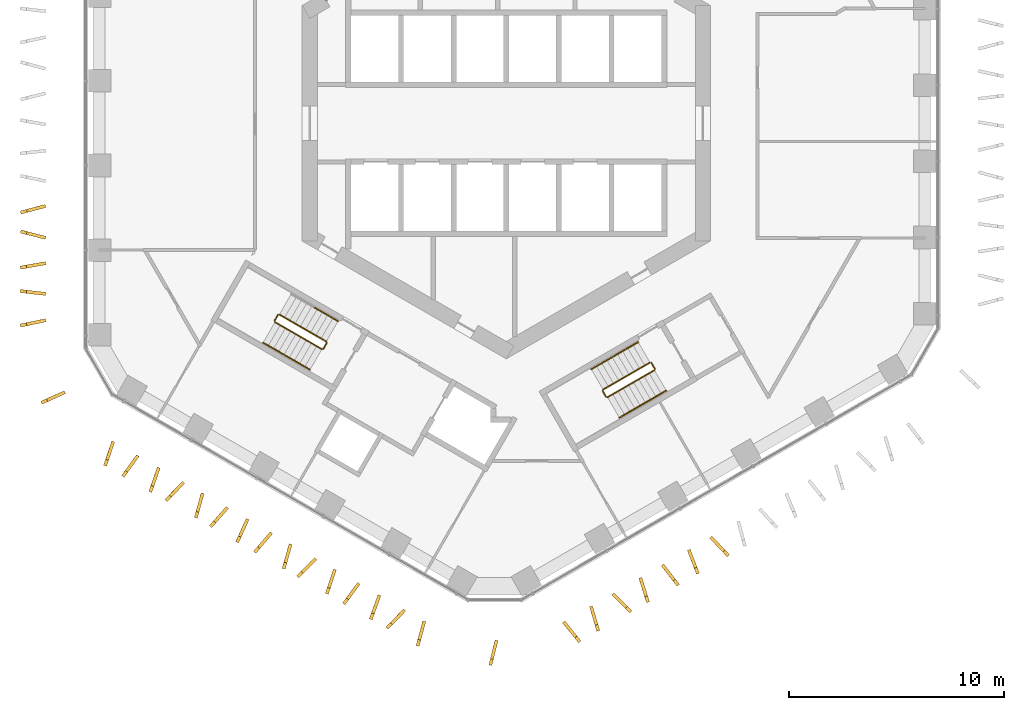
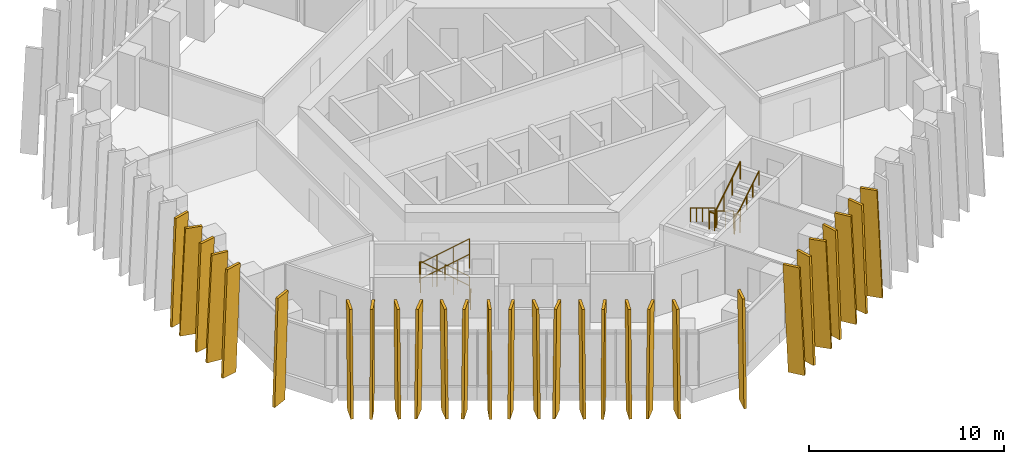
# One storey, part 17 of 19: 29 shading devices, 15 railings.
"""IFC4 building model written with IfcOpenShell, lengths in metres."""

from ifc_helpers import new_model, si_unit, direction, frame, origin, origin_2d, place, context, subcontext, project, spatial, polyline, circle, outline, extrude, material, layer, layer_set, type_object, element, save


model = new_model("IFC4")

# Units and contexts
model_context = context("Model", 3, precision=1e-05, world=origin(), true_north=direction((0.0, 1.0)))
body_context = subcontext(model_context, "Body", "Model", "MODEL_VIEW")
ifc_project = project(units=[si_unit("LENGTHUNIT", "METRE"), si_unit("AREAUNIT", "SQUARE_METRE"), si_unit("VOLUMEUNIT", "CUBIC_METRE"), si_unit("PLANEANGLEUNIT", "RADIAN"), si_unit("MASSUNIT", "GRAM", prefix="KILO")], contexts=[model_context])

# Site, building, storey
site_placement = place(None, origin())
site = spatial("IfcSite", under=ifc_project, at=site_placement, CompositionType="ELEMENT")
building_placement = place(site_placement, origin())
building = spatial("IfcBuilding", under=site, at=building_placement, Name="Ayvan Gate Tower", CompositionType="ELEMENT")
storey_placement = place(building_placement, frame((0.0, 0.0, 113.699951171875)))
storey = spatial("IfcBuildingStorey", under=building, at=storey_placement, Name="L30", CompositionType="ELEMENT", Elevation=113.699951171875)

# Shading devices
ifc_material_1 = material(Name="Bronze anodised aluminium", Category="aluminium")
ifc_layer = layer(ifc_material_1, 0.14990234375)
ifc_layer_set = layer_set([ifc_layer], Name="Bronze anodised aluminium")
shading_device_type = type_object("IfcShadingDeviceType", Name="Bronze fin 900 x 150", PredefinedType="USERDEFINED", material=ifc_layer_set)
shading_device_1_placement = place(storey_placement, frame((-21.75732421875, -3.854736328125, 0.0), z_axis=(-0.255534646621, 0.966799873203, 0.000222598358), x_axis=(-0.966799897156, -0.255534652952, 0.0)))
element("IfcShadingDevice", 1, at=shading_device_1_placement, inside=storey, type_object=shading_device_type, Name="Bronze fin FG10.3.27", ObjectType="FIN", PredefinedType="USERDEFINED", context=body_context, shape_type="SweptSolid", body=[
    extrude(outline(polyline([(0.0, 0.0), (0.8999971866563695, 0.0), (0.6039264801723704, 6.67993180612041), (-0.2960707064839991, 6.67993180612041), (0.0, 0.0)])), origin(), (0.0, 0.0, -1.0), 0.14990234375),
])
shading_device_2_placement = place(storey_placement, frame((-21.719482421875, -5.18701171875, 0.0), z_axis=(0.24413091706, 0.969742253879, 0.000237439968), x_axis=(-0.969742281215, 0.244130923942, 0.0)))
element("IfcShadingDevice", 2, at=shading_device_2_placement, inside=storey, type_object=shading_device_type, Name="Bronze fin FG10.3.28", ObjectType="FIN", PredefinedType="USERDEFINED", context=body_context, shape_type="SweptSolid", body=[
    extrude(outline(polyline([(0.0, 0.0), (0.9000357634008458, -6.776263578034403e-21), (0.6043240361315178, 6.679931828924728), (-0.2957117272693281, 6.679931828924728), (0.0, 0.0)])), origin(), (0.0, 0.0, -1.0), 0.14990234375),
])
shading_device_3_placement = place(storey_placement, frame((-21.75048828125, -6.49267578125, 0.0), z_axis=(-0.174992419985, 0.984569755235, 0.000223660681), x_axis=(-0.984569779861, -0.174992424362, 0.0)))
element("IfcShadingDevice", 3, at=shading_device_3_placement, inside=storey, type_object=shading_device_type, Name="Bronze fin FG10.3.29", ObjectType="FIN", PredefinedType="USERDEFINED", context=body_context, shape_type="SweptSolid", body=[
    extrude(outline(polyline([(0.0, 0.0), (0.8998715441478868, 0.0), (0.6040647188127232, 6.679931807703792), (-0.29580682533516367, 6.679931807703792), (0.0, 0.0)])), origin(), (0.0, 0.0, -1.0), 0.14990234375),
])
shading_device_4_placement = place(storey_placement, frame((-21.728515625, -7.83740234375, 0.0), z_axis=(0.111220485575, 0.993795729037, 0.00022920739), x_axis=(-0.993795755142, 0.111220488496, 3.457e-09)))
element("IfcShadingDevice", 4, at=shading_device_4_placement, inside=storey, type_object=shading_device_type, Name="Bronze fin FG10.3.30", ObjectType="FIN", PredefinedType="USERDEFINED", context=body_context, shape_type="SweptSolid", body=[
    extrude(outline(polyline([(0.0, 0.0), (0.9001142693175008, 0.0), (0.6041640536250094, 6.6799318140048225), (-0.29570758977570866, 6.679931820227753), (0.0, 0.0)])), origin(), (0.0, 0.0, -1.0), 0.14990234375),
])
shading_device_5_placement = place(storey_placement, frame((-21.7529296875, -9.159912109375, 0.0), z_axis=(-0.206406873272, 0.97846622251, 0.000232535496), x_axis=(-0.978466248965, -0.206406878851, -6.508e-09)))
element("IfcShadingDevice", 5, at=shading_device_5_placement, inside=storey, type_object=shading_device_type, Name="Bronze fin FG10.3.31", ObjectType="FIN", PredefinedType="USERDEFINED", context=body_context, shape_type="SweptSolid", body=[
    extrude(outline(polyline([(0.0, 0.0), (0.9002397121753258, -6.776263578034403e-21), (0.6041505128876462, 6.679931825158141), (-0.2958503159261161, 6.679931813441696), (0.0, 0.0)])), origin(), (0.0, 0.0, -1.0), 0.14990234375),
])
shading_device_6_placement = place(storey_placement, frame((-20.85498046875, -12.57568359375, 0.0), z_axis=(-0.413700737575, 0.910412901837, 0.000218859561), x_axis=(-0.910412923641, -0.413700747483, 0.0)))
element("IfcShadingDevice", 6, at=shading_device_6_placement, inside=storey, type_object=shading_device_type, Name="Bronze fin FG10.4.32", ObjectType="FIN", PredefinedType="USERDEFINED", context=body_context, shape_type="SweptSolid", body=[
    extrude(outline(polyline([(0.0, 0.0), (0.8999607938598058, 1.3552527156068805e-20), (0.604034948083882, 6.679931800607722), (-0.29592584577592373, 6.679931800607722), (0.0, 0.0)])), origin(), (0.0, 0.0, -1.0), 0.14990234375),
])
shading_device_7_placement = place(storey_placement, frame((-18.46484375, -15.073486328125, 0.0), z_axis=(-0.947838964905, 0.318749508805, 0.000217360025), x_axis=(-0.318749516334, -0.947838987295, 0.0)))
element("IfcShadingDevice", 7, at=shading_device_7_placement, inside=storey, type_object=shading_device_type, Name="Bronze fin FG10.5.33", ObjectType="FIN", PredefinedType="USERDEFINED", context=body_context, shape_type="SweptSolid", body=[
    extrude(outline(polyline([(0.0, 0.0), (0.8999707283452081, 6.776263578034403e-21), (0.604042718376811, 6.679931798422961), (-0.29592800996839713, 6.679931798422961), (0.0, 0.0)])), origin(), (0.0, 0.0, -1.0), 0.14990234375),
])
shading_device_8_placement = place(storey_placement, frame((-17.38671875, -15.66943359375, 0.0), z_axis=(-0.812246275449, 0.583314615246, 0.000218312369), x_axis=(-0.583314629147, -0.812246294804, -6.777e-09)))
element("IfcShadingDevice", 8, at=shading_device_8_placement, inside=storey, type_object=shading_device_type, Name="Bronze fin FG10.5.34", ObjectType="FIN", PredefinedType="USERDEFINED", context=body_context, shape_type="SweptSolid", body=[
    extrude(outline(polyline([(0.0, 0.0), (0.9002410693929876, 1.3552527156068805e-20), (0.6043099618294683, 6.679931803904137), (-0.2955903944473203, 6.679931791704635), (0.0, 0.0)])), origin(), (0.0, 0.0, -1.0), 0.14990234375),
])
shading_device_9_placement = place(storey_placement, frame((-16.349365234375, -16.293701171875, 0.0), z_axis=(-0.943942876955, 0.330108758981, 0.000228668736), x_axis=(-0.330108767612, -0.943942901634, 0.0)))
element("IfcShadingDevice", 9, at=shading_device_9_placement, inside=storey, type_object=shading_device_type, Name="Bronze fin FG10.5.35", ObjectType="FIN", PredefinedType="USERDEFINED", context=body_context, shape_type="SweptSolid", body=[
    extrude(outline(polyline([(0.0, 0.0), (0.9000643720388166, 0.0), (0.6041642369517112, 6.679931815269785), (-0.29590013508710533, 6.679931815269785), (0.0, 0.0)])), origin(), (0.0, 0.0, -1.0), 0.14990234375),
])
shading_device_10_placement = place(storey_placement, frame((-15.27685546875, -16.8759765625, 0.0), z_axis=(-0.714258923218, 0.699881512306, 0.00024359049), x_axis=(-0.69988153307, -0.714258944408, 0.0)))
element("IfcShadingDevice", 10, at=shading_device_10_placement, inside=storey, type_object=shading_device_type, Name="Bronze fin FG10.5.36", ObjectType="FIN", PredefinedType="USERDEFINED", context=body_context, shape_type="SweptSolid", body=[
    extrude(outline(polyline([(0.0, 0.0), (0.8999849013545551, -1.3552527156068805e-20), (0.6040923479257332, 6.679931838806315), (-0.29589255342882204, 6.679931838806315), (0.0, 0.0)])), origin(), (0.0, 0.0, -1.0), 0.14990234375),
])
shading_device_11_placement = place(storey_placement, frame((-14.288818359375, -17.48974609375, 0.0), z_axis=(-0.964248697542, 0.264998868495, 0.000221323949), x_axis=(-0.264998874985, -0.964248721159, 0.0)))
element("IfcShadingDevice", 11, at=shading_device_11_placement, inside=storey, type_object=shading_device_type, Name="Bronze fin FG10.5.37", ObjectType="FIN", PredefinedType="USERDEFINED", context=body_context, shape_type="SweptSolid", body=[
    extrude(outline(polyline([(0.0, 0.0), (0.9000996349073335, 1.3552527156068805e-20), (0.6042175817548435, 6.679931804230863), (-0.29588205315249005, 6.679931804230863), (0.0, 0.0)])), origin(), (0.0, 0.0, -1.0), 0.14990234375),
])
shading_device_12_placement = place(storey_placement, frame((-13.233154296875, -18.059814453125, 0.0), z_axis=(-0.750826489301, 0.660499458615, 0.000219393092), x_axis=(-0.660499474511, -0.750826507371, 0.0)))
element("IfcShadingDevice", 12, at=shading_device_12_placement, inside=storey, type_object=shading_device_type, Name="Bronze fin FG10.5.38", ObjectType="FIN", PredefinedType="USERDEFINED", context=body_context, shape_type="SweptSolid", body=[
    extrude(outline(polyline([(0.0, 0.0), (0.9000498029386641, 0.0), (0.6041633545355054, 6.679931801388679), (-0.29588644840315864, 6.679931801388679), (0.0, 0.0)])), origin(), (0.0, 0.0, -1.0), 0.14990234375),
])
shading_device_13_placement = place(storey_placement, frame((-12.231201171875, -18.663330078125, 0.0), z_axis=(-0.911962084509, 0.410274435699, 0.000209358024), x_axis=(-0.410274444695, -0.911962104492, -2.5894e-08)))
element("IfcShadingDevice", 13, at=shading_device_13_placement, inside=storey, type_object=shading_device_type, Name="Bronze fin FG10.5.39", ObjectType="FIN", PredefinedType="USERDEFINED", context=body_context, shape_type="SweptSolid", body=[
    extrude(outline(polyline([(0.0, 0.0), (0.9000883374333465, -1.3552527156068805e-20), (0.6041257018352836, 6.6799318026612715), (-0.29586247093871354, 6.679931756050929), (0.0, 0.0)])), origin(), (0.0, 0.0, -1.0), 0.14990234375),
])
shading_device_14_placement = place(storey_placement, frame((-11.1865234375, -19.24267578125, 0.0), z_axis=(-0.760652693835, 0.649159021522, 0.000210090971), x_axis=(-0.649159035848, -0.760652710622, 0.0)))
element("IfcShadingDevice", 14, at=shading_device_14_placement, inside=storey, type_object=shading_device_type, Name="Bronze fin FG10.5.40", ObjectType="FIN", PredefinedType="USERDEFINED", context=body_context, shape_type="SweptSolid", body=[
    extrude(outline(polyline([(0.0, 0.0), (0.8999774837326424, 0.0), (0.6041366669096575, 6.679931788045138), (-0.2958408168229849, 6.679931788045138), (0.0, 0.0)])), origin(), (0.0, 0.0, -1.0), 0.14990234375),
])
shading_device_15_placement = place(storey_placement, frame((-10.19287109375, -19.854248046875, 0.0), z_axis=(-0.962606705833, 0.270902704559, 0.000233554778), x_axis=(-0.27090271194, -0.962606732089, 3.0499e-08)))
element("IfcShadingDevice", 15, at=shading_device_15_placement, inside=storey, type_object=shading_device_type, Name="Bronze fin FG10.5.41", ObjectType="FIN", PredefinedType="USERDEFINED", context=body_context, shape_type="SweptSolid", body=[
    extrude(outline(polyline([(0.0, 0.0), (0.8998265605392559, 1.3552527156068805e-20), (0.6039482611782974, 6.679931804392956), (-0.29594443771836604, 6.67993185928301), (0.0, 0.0)])), origin(), (0.0, 0.0, -1.0), 0.14990234375),
])
shading_device_16_placement = place(storey_placement, frame((-9.1328125, -20.4228515625, 0.0), z_axis=(-0.710421853407, 0.703776059055, 0.00022114165), x_axis=(-0.70377607626, -0.710421870781, 2.131e-08)))
element("IfcShadingDevice", 16, at=shading_device_16_placement, inside=storey, type_object=shading_device_type, Name="Bronze fin FG10.5.42", ObjectType="FIN", PredefinedType="USERDEFINED", context=body_context, shape_type="SweptSolid", body=[
    extrude(outline(polyline([(0.0, 0.0), (0.8999487356919111, 0.0), (0.6040583407805172, 6.679931791089102), (-0.2960622152425119, 6.679931829448199), (0.0, 0.0)])), origin(), (0.0, 0.0, -1.0), 0.14990234375),
])
shading_device_17_placement = place(storey_placement, frame((-8.14208984375, -21.03369140625, 0.0), z_axis=(-0.949116389233, 0.314925443812, 0.00021101689), x_axis=(-0.314925450824, -0.949116410365, 0.0)))
element("IfcShadingDevice", 17, at=shading_device_17_placement, inside=storey, type_object=shading_device_type, Name="Bronze fin FG10.5.43", ObjectType="FIN", PredefinedType="USERDEFINED", context=body_context, shape_type="SweptSolid", body=[
    extrude(outline(polyline([(0.0, 0.0), (0.9000455977227162, 6.776263578034403e-21), (0.6042785594982537, 6.679931789347432), (-0.29576703822446254, 6.679931789347432), (0.0, 0.0)])), origin(), (0.0, 0.0, -1.0), 0.14990234375),
])
shading_device_18_placement = place(storey_placement, frame((-7.0966796875, -21.60986328125, 0.0), z_axis=(-0.807167421039, 0.590322544318, 0.000219277298), x_axis=(-0.590322558506, -0.807167440448, 2.4005e-08)))
element("IfcShadingDevice", 18, at=shading_device_18_placement, inside=storey, type_object=shading_device_type, Name="Bronze fin FG10.5.44", ObjectType="FIN", PredefinedType="USERDEFINED", context=body_context, shape_type="SweptSolid", body=[
    extrude(outline(polyline([(0.0, 0.0), (0.9000664526566117, 0.0), (0.6041631714618955, 6.679931786716387), (-0.29604740291310155, 6.679931829931149), (0.0, 0.0)])), origin(), (0.0, 0.0, -1.0), 0.14990234375),
])
shading_device_19_placement = place(storey_placement, frame((-6.075927734375, -22.224365234375, 0.0), z_axis=(-0.940959983213, 0.338517745474, 0.000214452722), x_axis=(-0.338517753259, -0.940960004851, 0.0)))
element("IfcShadingDevice", 19, at=shading_device_19_placement, inside=storey, type_object=shading_device_type, Name="Bronze fin FG10.5.45", ObjectType="FIN", PredefinedType="USERDEFINED", context=body_context, shape_type="SweptSolid", body=[
    extrude(outline(polyline([(0.0, 0.0), (0.9000635773667073, -1.3552527156068805e-20), (0.604024312014999, 6.679931794229933), (-0.29603926535170827, 6.679931794229933), (0.0, 0.0)])), origin(), (0.0, 0.0, -1.0), 0.14990234375),
])
shading_device_20_placement = place(storey_placement, frame((-4.987548828125, -22.816650390625, 0.0), z_axis=(-0.716337343588, 0.697754079799, 0.000233035859), x_axis=(-0.697754098741, -0.716337363042, 2.2054e-08)))
element("IfcShadingDevice", 20, at=shading_device_20_placement, inside=storey, type_object=shading_device_type, Name="Bronze fin FG10.5.46", ObjectType="FIN", PredefinedType="USERDEFINED", context=body_context, shape_type="SweptSolid", body=[
    extrude(outline(polyline([(0.0, 0.0), (0.900017216249044, 2.710505431213761e-20), (0.6041173475520465, 6.6799318086811175), (-0.2957249816454735, 6.679931848374948), (0.0, 0.0)])), origin(), (0.0, 0.0, -1.0), 0.14990234375),
])
shading_device_21_placement = place(storey_placement, frame((-3.9658203125, -23.449951171875, 0.0), z_axis=(-0.964578900208, 0.263794426449, 0.000214120168), x_axis=(-0.263794432502, -0.964578922318, -2.8011e-08)))
element("IfcShadingDevice", 21, at=shading_device_21_placement, inside=storey, type_object=shading_device_type, Name="Bronze fin FG10.5.47", ObjectType="FIN", PredefinedType="USERDEFINED", context=body_context, shape_type="SweptSolid", body=[
    extrude(outline(polyline([(0.0, 0.0), (0.9000768141085731, 0.0), (0.6040255610158999, 6.679931810673164), (-0.29598685015505055, 6.679931760251189), (0.0, 0.0)])), origin(), (0.0, 0.0, -1.0), 0.14990234375),
])
shading_device_22_placement = place(storey_placement, frame((-0.597412109375, -24.3388671875, 0.0), z_axis=(-0.97055591895, 0.240875812193, 0.000226475075), x_axis=(-0.240875818371, -0.970555943841, 0.0)))
element("IfcShadingDevice", 22, at=shading_device_22_placement, inside=storey, type_object=shading_device_type, Name="Bronze fin FG10.6.48", ObjectType="FIN", PredefinedType="USERDEFINED", context=body_context, shape_type="SweptSolid", body=[
    extrude(outline(polyline([(0.0, 0.0), (0.9000358627379677, -6.776263578034403e-21), (0.6040924477264612, 6.679931811935059), (-0.29594341501150634, 6.679931811935059), (0.0, 0.0)])), origin(), (0.0, 0.0, -1.0), 0.14990234375),
])
shading_device_23_placement = place(storey_placement, frame((2.801513671875, -23.495849609375, 0.0), z_axis=(-0.778601108813, -0.627519130897, 0.000231761954), x_axis=(0.627519147758, -0.778601129717, 4.4198e-08)))
element("IfcShadingDevice", 23, at=shading_device_23_placement, inside=storey, type_object=shading_device_type, Name="Bronze fin FG10.7.49", ObjectType="FIN", PredefinedType="USERDEFINED", context=body_context, shape_type="SweptSolid", body=[
    extrude(outline(polyline([(0.0, 0.0), (0.9000645874513407, 0.0), (0.60422998387458, 6.679931793320955), (-0.2958714888262624, 6.679931872884398), (0.0, 0.0)])), origin(), (0.0, 0.0, -1.0), 0.14990234375),
])
shading_device_24_placement = place(storey_placement, frame((3.957275390625, -22.795654296875, 0.0), z_axis=(-0.958975791562, -0.283487893121, 0.000213665072), x_axis=(0.283487899592, -0.958975813452, 0.0)))
element("IfcShadingDevice", 24, at=shading_device_24_placement, inside=storey, type_object=shading_device_type, Name="Bronze fin FG10.7.50", ObjectType="FIN", PredefinedType="USERDEFINED", context=body_context, shape_type="SweptSolid", body=[
    extrude(outline(polyline([(0.0, 0.0), (0.8999571180724122, 0.0), (0.6040423824963348, 6.679931793103675), (-0.29591473557607745, 6.679931793103675), (0.0, 0.0)])), origin(), (0.0, 0.0, -1.0), 0.14990234375),
])
shading_device_25_placement = place(storey_placement, frame((5.114990234375, -22.170166015625, 0.0), z_axis=(-0.707445760814, -0.70676761112, 0.000198435806), x_axis=(0.706767625033, -0.707445774746, -1.9042e-08)))
element("IfcShadingDevice", 25, at=shading_device_25_placement, inside=storey, type_object=shading_device_type, Name="Bronze fin FG10.7.51", ObjectType="FIN", PredefinedType="USERDEFINED", context=body_context, shape_type="SweptSolid", body=[
    extrude(outline(polyline([(0.0, 0.0), (0.8999385360710792, 1.3552527156068805e-20), (0.6042165268939486, 6.679931783647502), (-0.2958945598668358, 6.679931749371128), (0.0, 0.0)])), origin(), (0.0, 0.0, -1.0), 0.14990234375),
])
shading_device_26_placement = place(storey_placement, frame((6.258544921875, -21.468017578125, 0.0), z_axis=(-0.954533029113, -0.298105086387, 0.000231952951), x_axis=(0.298105094406, -0.954533054791, 0.0)))
element("IfcShadingDevice", 26, at=shading_device_26_placement, inside=storey, type_object=shading_device_type, Name="Bronze fin FG10.7.52", ObjectType="FIN", PredefinedType="USERDEFINED", context=body_context, shape_type="SweptSolid", body=[
    extrude(outline(polyline([(0.0, 0.0), (0.9000535445709814, 0.0), (0.6043561358887448, 6.679931820322422), (-0.2956974086822366, 6.679931820322422), (0.0, 0.0)])), origin(), (0.0, 0.0, -1.0), 0.14990234375),
])
shading_device_27_placement = place(storey_placement, frame((7.39501953125, -20.841796875, 0.0), z_axis=(-0.792765126395, -0.609527198977, 0.000219267594), x_axis=(0.609527213633, -0.79276514545, 1.8129e-08)))
element("IfcShadingDevice", 27, at=shading_device_27_placement, inside=storey, type_object=shading_device_type, Name="Bronze fin FG10.7.53", ObjectType="FIN", PredefinedType="USERDEFINED", context=body_context, shape_type="SweptSolid", body=[
    extrude(outline(polyline([(0.0, 0.0), (0.8999187998142202, -1.3552527156068805e-20), (0.6041136047476594, 6.679931790252825), (-0.29599874124464914, 6.679931822885623), (0.0, 0.0)])), origin(), (0.0, 0.0, -1.0), 0.14990234375),
])
shading_device_28_placement = place(storey_placement, frame((8.53076171875, -20.161376953125, 0.0), z_axis=(-0.933044571601, -0.359760715889, 0.00023389954), x_axis=(0.35976072573, -0.933044597124, 0.0)))
element("IfcShadingDevice", 28, at=shading_device_28_placement, inside=storey, type_object=shading_device_type, Name="Bronze fin FG10.7.54", ObjectType="FIN", PredefinedType="USERDEFINED", context=body_context, shape_type="SweptSolid", body=[
    extrude(outline(polyline([(0.0, 0.0), (0.899849387653149, 0.0), (0.603990832817858, 6.679931823351181), (-0.29585855483529094, 6.679931823351181), (0.0, 0.0)])), origin(), (0.0, 0.0, -1.0), 0.14990234375),
])
shading_device_29_placement = place(storey_placement, frame((9.669921875, -19.5380859375, 0.0), z_axis=(-0.725246578245, -0.688489177327, 0.000231187757), x_axis=(0.68848919573, -0.725246597622, 2.1591e-08)))
element("IfcShadingDevice", 29, at=shading_device_29_placement, inside=storey, type_object=shading_device_type, Name="Bronze fin FG10.7.55", ObjectType="FIN", PredefinedType="USERDEFINED", context=body_context, shape_type="SweptSolid", body=[
    extrude(outline(polyline([(0.0, 0.0), (0.8998949546405677, -1.3552527156068805e-20), (0.6040360221710525, 6.679931806096798), (-0.29603599462713787, 6.679931844960551), (0.0, 0.0)])), origin(), (0.0, 0.0, -1.0), 0.14990234375),
])

# Railings
ifc_material_2 = material(Name="Stainless steel balustrade", Category="steel")
railing_type_1 = type_object("IfcRailingType", Name="RL-GUARD-1100", PredefinedType="GUARDRAIL", material=ifc_material_2)
railing_1_placement = place(storey_placement, frame((-8.381103515625, -10.16650390625, 0.170166015625)))
element("IfcRailing", 30, at=railing_1_placement, inside=storey, type_object=railing_type_1, Name="L30 STS2 stair guard 1", PredefinedType="GUARDRAIL", context=body_context, shape_type="SweptSolid", body=[
    extrude(circle(Radius=0.02392578125, at=origin_2d()), frame((0.0, 0.0, 1.076171875), z_axis=(-0.740292969978, 0.427413806696, 0.51892557891), x_axis=(-0.500004791531, -0.866022637375, 0.0)), (0.0, 0.0, 1.0), 2.947998046875),
    extrude(circle(Radius=0.02099609375, at=origin_2d()), origin(), (0.0, 0.0, 1.0), 1.052001953125),
    extrude(circle(Radius=0.02099609375, at=origin_2d()), frame((-0.7275390625, 0.419921875, 0.510009765625)), (0.0, 0.0, 1.0), 1.052001953125),
    extrude(circle(Radius=0.02099609375, at=origin_2d()), frame((-1.454833984375, 0.840087890625, 1.019775390625)), (0.0, 0.0, 1.0), 1.052001953125),
    extrude(circle(Radius=0.02099609375, at=origin_2d()), frame((-2.182373046875, 1.260009765625, 1.52978515625)), (0.0, 0.0, 1.0), 1.052001953125),
])
railing_2_placement = place(storey_placement, frame((-10.6318359375, -8.9248046875, 1.699951171875)))
element("IfcRailing", 31, at=railing_2_placement, inside=storey, type_object=railing_type_1, Name="L30 STS2 stair guard 2", PredefinedType="GUARDRAIL", context=body_context, shape_type="SweptSolid", body=[
    extrude(circle(Radius=0.02392578125, at=origin_2d()), frame((0.0, 0.0, 1.076171875), z_axis=(-0.499949632511, -0.866054481515, 0.0), x_axis=(0.866054481515, -0.499949632511, 0.0)), (0.0, 0.0, 1.0), 0.31005859375),
    extrude(circle(Radius=0.02099609375, at=origin_2d()), origin(), (0.0, 0.0, 1.0), 1.052001953125),
    extrude(circle(Radius=0.02099609375, at=origin_2d()), frame((-0.155029296875, -0.2685546875, 0.0)), (0.0, 0.0, 1.0), 1.052001953125),
])
railing_3_placement = place(storey_placement, frame((-10.7685546875, -9.261474609375, 1.8701171875)))
element("IfcRailing", 32, at=railing_3_placement, inside=storey, type_object=railing_type_1, Name="L30 STS2 stair guard 3", PredefinedType="GUARDRAIL", context=body_context, shape_type="SweptSolid", body=[
    extrude(circle(Radius=0.02392578125, at=origin_2d()), frame((0.0, 0.0, 1.076171875), z_axis=(0.740261155115, -0.427395438142, 0.518986090067), x_axis=(0.500004791531, 0.866022637375, 0.0)), (0.0, 0.0, 1.0), 2.947998046875),
    extrude(circle(Radius=0.02099609375, at=origin_2d()), origin(), (0.0, 0.0, 1.0), 1.052001953125),
    extrude(circle(Radius=0.02099609375, at=origin_2d()), frame((0.7275390625, -0.419921875, 0.510009765625)), (0.0, 0.0, 1.0), 1.052001953125),
    extrude(circle(Radius=0.02099609375, at=origin_2d()), frame((1.454833984375, -0.840087890625, 1.02001953125)), (0.0, 0.0, 1.0), 1.052001953125),
    extrude(circle(Radius=0.02099609375, at=origin_2d()), frame((2.182373046875, -1.260009765625, 1.530029296875)), (0.0, 0.0, 1.0), 1.052001953125),
])
railing_4_placement = place(storey_placement, frame((-8.36279296875, -10.23486328125, 0.0)))
element("IfcRailing", 33, at=railing_4_placement, inside=storey, type_object=railing_type_1, Name="L30 STS2 stair guard 4", PredefinedType="GUARDRAIL", context=body_context, shape_type="SweptSolid", body=[
    extrude(circle(Radius=0.02392578125, at=origin_2d()), frame((0.0, 0.0, 1.076171875), z_axis=(-0.500290723946, -0.86585748916, 0.0), x_axis=(0.86585748916, -0.500290723946, 0.0)), (0.0, 0.0, 1.0), 0.309814453125),
    extrude(circle(Radius=0.02099609375, at=origin_2d()), origin(), (0.0, 0.0, 1.0), 1.052001953125),
    extrude(circle(Radius=0.02099609375, at=origin_2d()), frame((-0.155029296875, -0.268310546875, 0.0)), (0.0, 0.0, 1.0), 1.052001953125),
])
railing_5_placement = place(storey_placement, frame((6.6923828125, -11.1416015625, 0.170166015625)))
element("IfcRailing", 34, at=railing_5_placement, inside=storey, type_object=railing_type_1, Name="L30 STS3 stair guard 1", PredefinedType="GUARDRAIL", context=body_context, shape_type="SweptSolid", body=[
    extrude(circle(Radius=0.02392578125, at=origin_2d()), frame((0.0, 0.0, 1.076171875), z_axis=(-0.740292969978, -0.427413806696, 0.51892557891), x_axis=(0.500004791531, -0.866022637375, 0.0)), (0.0, 0.0, 1.0), 2.947998046875),
    extrude(circle(Radius=0.02099609375, at=origin_2d()), origin(), (0.0, 0.0, 1.0), 1.052001953125),
    extrude(circle(Radius=0.02099609375, at=origin_2d()), frame((-0.7275390625, -0.419921875, 0.510009765625)), (0.0, 0.0, 1.0), 1.052001953125),
    extrude(circle(Radius=0.02099609375, at=origin_2d()), frame((-1.454833984375, -0.840087890625, 1.019775390625)), (0.0, 0.0, 1.0), 1.052001953125),
    extrude(circle(Radius=0.02099609375, at=origin_2d()), frame((-2.182373046875, -1.260009765625, 1.52978515625)), (0.0, 0.0, 1.0), 1.052001953125),
])
railing_6_placement = place(storey_placement, frame((4.49169921875, -12.4697265625, 1.699951171875)))
element("IfcRailing", 35, at=railing_6_placement, inside=storey, type_object=railing_type_1, Name="L30 STS3 stair guard 2", PredefinedType="GUARDRAIL", context=body_context, shape_type="SweptSolid", body=[
    extrude(circle(Radius=0.02392578125, at=origin_2d()), frame((0.0, 0.0, 1.076171875), z_axis=(0.499949632511, -0.866054481515, 0.0), x_axis=(0.866054481515, 0.499949632511, 0.0)), (0.0, 0.0, 1.0), 0.31005859375),
    extrude(circle(Radius=0.02099609375, at=origin_2d()), origin(), (0.0, 0.0, 1.0), 1.052001953125),
    extrude(circle(Radius=0.02099609375, at=origin_2d()), frame((0.155029296875, -0.2685546875, 0.0)), (0.0, 0.0, 1.0), 1.052001953125),
])
railing_7_placement = place(storey_placement, frame((4.715087890625, -12.756591796875, 1.8701171875)))
element("IfcRailing", 36, at=railing_7_placement, inside=storey, type_object=railing_type_1, Name="L30 STS3 stair guard 3", PredefinedType="GUARDRAIL", context=body_context, shape_type="SweptSolid", body=[
    extrude(circle(Radius=0.02392578125, at=origin_2d()), frame((0.0, 0.0, 1.076171875), z_axis=(0.740261155115, 0.427395438142, 0.518986090067), x_axis=(-0.500004791531, 0.866022637375, 0.0)), (0.0, 0.0, 1.0), 2.947998046875),
    extrude(circle(Radius=0.02099609375, at=origin_2d()), origin(), (0.0, 0.0, 1.0), 1.052001953125),
    extrude(circle(Radius=0.02099609375, at=origin_2d()), frame((0.7275390625, 0.419921875, 0.510009765625)), (0.0, 0.0, 1.0), 1.052001953125),
    extrude(circle(Radius=0.02099609375, at=origin_2d()), frame((1.454833984375, 0.840087890625, 1.02001953125)), (0.0, 0.0, 1.0), 1.052001953125),
    extrude(circle(Radius=0.02099609375, at=origin_2d()), frame((2.182373046875, 1.260009765625, 1.530029296875)), (0.0, 0.0, 1.0), 1.052001953125),
])
railing_8_placement = place(storey_placement, frame((6.7607421875, -11.159912109375, 0.0)))
element("IfcRailing", 37, at=railing_8_placement, inside=storey, type_object=railing_type_1, Name="L30 STS3 stair guard 4", PredefinedType="GUARDRAIL", context=body_context, shape_type="SweptSolid", body=[
    extrude(circle(Radius=0.02392578125, at=origin_2d()), frame((0.0, 0.0, 1.076171875), z_axis=(0.500290723946, -0.86585748916, 0.0), x_axis=(0.86585748916, 0.500290723946, 0.0)), (0.0, 0.0, 1.0), 0.309814453125),
    extrude(circle(Radius=0.02099609375, at=origin_2d()), origin(), (0.0, 0.0, 1.0), 1.052001953125),
    extrude(circle(Radius=0.02099609375, at=origin_2d()), frame((0.155029296875, -0.268310546875, 0.0)), (0.0, 0.0, 1.0), 1.052001953125),
])
railing_type_2 = type_object("IfcRailingType", Name="RL-HANDRAIL-900", PredefinedType="HANDRAIL", material=ifc_material_2)
railing_9_placement = place(storey_placement, frame((-7.8310546875, -9.2138671875, 0.170166015625)))
element("IfcRailing", 38, at=railing_9_placement, inside=storey, type_object=railing_type_2, Name="L30 STS2 stair handrail 1", PredefinedType="HANDRAIL", context=body_context, shape_type="SweptSolid", body=[
    extrude(circle(Radius=0.02392578125, at=origin_2d()), frame((0.0, 0.0, 0.8759765625), z_axis=(-0.740356597536, 0.427319915356, 0.518912129772), x_axis=(-0.499890179513, -0.866088799389, 0.0)), (0.0, 0.0, 1.0), 1.47412109375),
    extrude(circle(Radius=0.02099609375, at=origin_2d()), origin(), (0.0, 0.0, 1.0), 0.851806640625),
    extrude(circle(Radius=0.02099609375, at=origin_2d()), frame((-0.545654296875, 0.31494140625, 0.38232421875)), (0.0, 0.0, 1.0), 0.851806640625),
    extrude(circle(Radius=0.02099609375, at=origin_2d()), frame((-1.09130859375, 0.6298828125, 0.764892578125)), (0.0, 0.0, 1.0), 0.851806640625),
])
railing_10_placement = place(storey_placement, frame((-11.318603515625, -10.214111328125, 1.8701171875)))
element("IfcRailing", 39, at=railing_10_placement, inside=storey, type_object=railing_type_2, Name="L30 STS2 stair handrail 3", PredefinedType="HANDRAIL", context=body_context, shape_type="SweptSolid", body=[
    extrude(circle(Radius=0.02392578125, at=origin_2d()), frame((0.0, 0.0, 0.8759765625), z_axis=(0.740304193401, -0.427455284825, 0.518875399983), x_axis=(0.500035496587, 0.86600490885, 0.0)), (0.0, 0.0, 1.0), 1.47412109375),
    extrude(circle(Radius=0.02099609375, at=origin_2d()), origin(), (0.0, 0.0, 1.0), 0.851806640625),
    extrude(circle(Radius=0.02099609375, at=origin_2d()), frame((0.545654296875, -0.31494140625, 0.38232421875)), (0.0, 0.0, 1.0), 0.851806640625),
    extrude(circle(Radius=0.02099609375, at=origin_2d()), frame((1.09130859375, -0.630126953125, 0.764892578125)), (0.0, 0.0, 1.0), 0.851806640625),
])
railing_11_placement = place(storey_placement, frame((-10.227294921875, -10.84423828125, 2.635009765625)))
element("IfcRailing", 40, at=railing_11_placement, inside=storey, type_object=railing_type_2, Name="L30 STS2 stair handrail 4", PredefinedType="HANDRAIL", context=body_context, shape_type="SweptSolid", body=[
    extrude(circle(Radius=0.02392578125, at=origin_2d()), frame((0.0, 0.0, 0.8759765625), z_axis=(0.740292964666, -0.42728318766, 0.519033143459), x_axis=(0.499890179513, 0.866088799389, 0.0)), (0.0, 0.0, 1.0), 1.47412109375),
    extrude(circle(Radius=0.02099609375, at=origin_2d()), origin(), (0.0, 0.0, 1.0), 0.851806640625),
    extrude(circle(Radius=0.02099609375, at=origin_2d()), frame((0.545654296875, -0.31494140625, 0.382568359375)), (0.0, 0.0, 1.0), 0.851806640625),
    extrude(circle(Radius=0.02099609375, at=origin_2d()), frame((1.09130859375, -0.6298828125, 0.76513671875)), (0.0, 0.0, 1.0), 0.851806640625),
])
railing_12_placement = place(storey_placement, frame((6.142333984375, -10.18896484375, 0.170166015625)))
element("IfcRailing", 41, at=railing_12_placement, inside=storey, type_object=railing_type_2, Name="L30 STS3 stair handrail 1", PredefinedType="HANDRAIL", context=body_context, shape_type="SweptSolid", body=[
    extrude(circle(Radius=0.02392578125, at=origin_2d()), frame((0.0, 0.0, 0.8759765625), z_axis=(-0.740281741151, -0.427372318678, 0.518975765278), x_axis=(0.499974077718, -0.866040369504, 0.0)), (0.0, 0.0, 1.0), 1.473876953125),
    extrude(circle(Radius=0.02099609375, at=origin_2d()), origin(), (0.0, 0.0, 1.0), 0.851806640625),
    extrude(circle(Radius=0.02099609375, at=origin_2d()), frame((-0.54541015625, -0.31494140625, 0.38232421875)), (0.0, 0.0, 1.0), 0.851806640625),
    extrude(circle(Radius=0.02099609375, at=origin_2d()), frame((-1.091064453125, -0.6298828125, 0.764892578125)), (0.0, 0.0, 1.0), 0.851806640625),
])
railing_13_placement = place(storey_placement, frame((5.05126953125, -10.81884765625, 0.93505859375)))
element("IfcRailing", 42, at=railing_13_placement, inside=storey, type_object=railing_type_2, Name="L30 STS3 stair handrail 2", PredefinedType="HANDRAIL", context=body_context, shape_type="SweptSolid", body=[
    extrude(circle(Radius=0.02392578125, at=origin_2d()), frame((0.0, 0.0, 0.8759765625), z_axis=(-0.740304193401, -0.427455284825, 0.518875399983), x_axis=(0.500035496587, -0.86600490885, 0.0)), (0.0, 0.0, 1.0), 1.47412109375),
    extrude(circle(Radius=0.02099609375, at=origin_2d()), origin(), (0.0, 0.0, 1.0), 0.851806640625),
    extrude(circle(Radius=0.02099609375, at=origin_2d()), frame((-0.545654296875, -0.31494140625, 0.38232421875)), (0.0, 0.0, 1.0), 0.851806640625),
    extrude(circle(Radius=0.02099609375, at=origin_2d()), frame((-1.09130859375, -0.630126953125, 0.764892578125)), (0.0, 0.0, 1.0), 0.851806640625),
])
railing_14_placement = place(storey_placement, frame((5.264892578125, -13.709228515625, 1.8701171875)))
element("IfcRailing", 43, at=railing_14_placement, inside=storey, type_object=railing_type_2, Name="L30 STS3 stair handrail 3", PredefinedType="HANDRAIL", context=body_context, shape_type="SweptSolid", body=[
    extrude(circle(Radius=0.02392578125, at=origin_2d()), frame((0.0, 0.0, 0.8759765625), z_axis=(0.740304193401, 0.427455284825, 0.518875399983), x_axis=(-0.500035496587, 0.86600490885, 0.0)), (0.0, 0.0, 1.0), 1.47412109375),
    extrude(circle(Radius=0.02099609375, at=origin_2d()), origin(), (0.0, 0.0, 1.0), 0.851806640625),
    extrude(circle(Radius=0.02099609375, at=origin_2d()), frame((0.545654296875, 0.31494140625, 0.38232421875)), (0.0, 0.0, 1.0), 0.851806640625),
    extrude(circle(Radius=0.02099609375, at=origin_2d()), frame((1.09130859375, 0.630126953125, 0.764892578125)), (0.0, 0.0, 1.0), 0.851806640625),
])
railing_15_placement = place(storey_placement, frame((6.356201171875, -13.0791015625, 2.635009765625)))
element("IfcRailing", 44, at=railing_15_placement, inside=storey, type_object=railing_type_2, Name="L30 STS3 stair handrail 4", PredefinedType="HANDRAIL", context=body_context, shape_type="SweptSolid", body=[
    extrude(circle(Radius=0.02392578125, at=origin_2d()), frame((0.0, 0.0, 0.8759765625), z_axis=(0.740218099111, 0.427335577468, 0.519096782863), x_axis=(-0.499974077718, 0.866040369504, 0.0)), (0.0, 0.0, 1.0), 1.473876953125),
    extrude(circle(Radius=0.02099609375, at=origin_2d()), origin(), (0.0, 0.0, 1.0), 0.851806640625),
    extrude(circle(Radius=0.02099609375, at=origin_2d()), frame((0.54541015625, 0.31494140625, 0.382568359375)), (0.0, 0.0, 1.0), 0.851806640625),
    extrude(circle(Radius=0.02099609375, at=origin_2d()), frame((1.091064453125, 0.6298828125, 0.76513671875)), (0.0, 0.0, 1.0), 0.851806640625),
])

save(model, "model.ifc")
